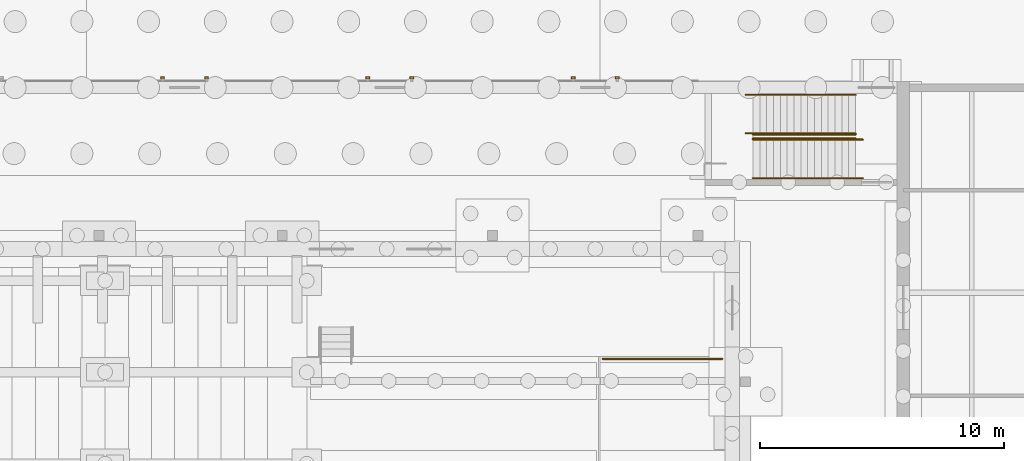
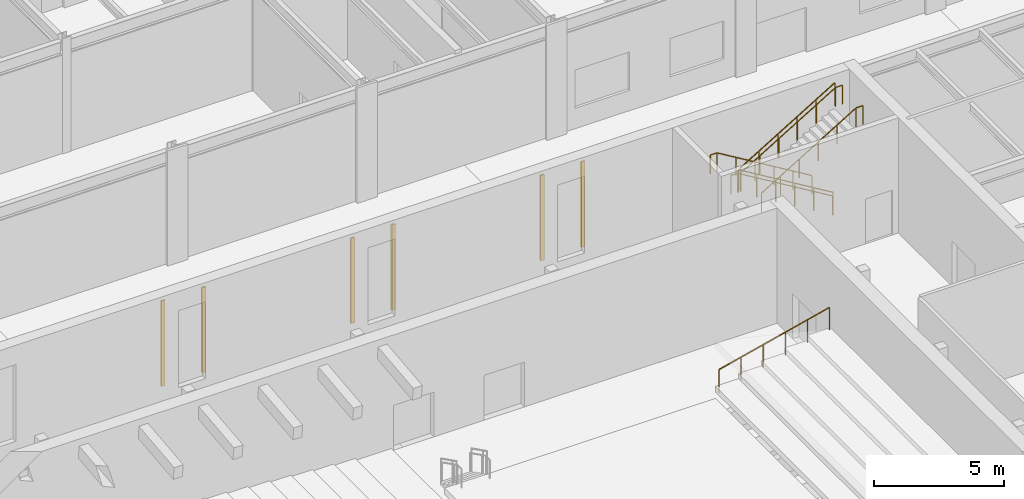
# One storey, part 110 of 127: 7 railings, 6 shading devices.
"""IFC4 building model written with IfcOpenShell, lengths in metres."""

from ifc_helpers import new_model, si_unit, direction, frame, origin, origin_2d, place, context, subcontext, project, spatial, rectangle, circle, extrude, material, type_object, element, save


model = new_model("IFC4")

# Units and contexts
model_context = context("Model", 3, precision=1e-05, world=origin(), true_north=direction((0.0, 1.0)))
body_context = subcontext(model_context, "Body", "Model", "MODEL_VIEW")
ifc_project = project(units=[si_unit("LENGTHUNIT", "METRE"), si_unit("AREAUNIT", "SQUARE_METRE"), si_unit("VOLUMEUNIT", "CUBIC_METRE"), si_unit("PLANEANGLEUNIT", "RADIAN"), si_unit("MASSUNIT", "GRAM", prefix="KILO")], contexts=[model_context])

# Site, building, storey
site_placement = place(None, origin())
site = spatial("IfcSite", under=ifc_project, at=site_placement, CompositionType="ELEMENT")
building_placement = place(site_placement, origin())
building = spatial("IfcBuilding", under=site, at=building_placement, Name="Ljudholm Concert House", CompositionType="ELEMENT")
storey_placement = place(building_placement, origin())
storey = spatial("IfcBuildingStorey", under=building, at=storey_placement, Name="L00", CompositionType="ELEMENT", Elevation=0.0)

# Shading devices
ifc_material_1 = material(Name="Aluminium extrusion with timber-grain PVDF finish", Category="aluminium")
shading_device_type = type_object("IfcShadingDeviceType", Name="FACADE FIN 80x160", PredefinedType="SHUTTER", material=ifc_material_1)
for number, where, z_axis, x_axis, name in (
    (1, (66.10009765625, 96.81005859375, 0.699951171875), (0.0, 0.0, 1.0), (0.0, 1.0, 0.0), "Facade fin"),
    (2, (67.89990234375, 96.81005859375, 0.699951171875), (0.0, 0.0, 1.0), (0.0, 1.0, 0.0), "Facade fin"),
    (3, (74.5, 96.81005859375, 0.699951171875), (0.0, 0.0, 1.0), (0.0, 1.0, 0.0), "Facade fin"),
    (4, (76.300048828125, 96.81005859375, 0.699951171875), (0.0, 0.0, 1.0), (0.0, 1.0, 0.0), "Facade fin"),
    (5, (82.89990234375, 96.81005859375, 0.699951171875), (0.0, 0.0, 1.0), (0.0, 1.0, 0.0), "Facade fin"),
    (6, (84.699951171875, 96.81005859375, 0.699951171875), (0.0, 0.0, 1.0), (0.0, 1.0, 0.0), "Facade fin"),
):
    element("IfcShadingDevice", number, at=place(storey_placement, frame(where, z_axis=z_axis, x_axis=x_axis)), inside=storey, type_object=shading_device_type, Name=name, PredefinedType="SHUTTER", context=body_context, shape_type="SweptSolid", body=[
        extrude(rectangle(XDim=0.080078125, YDim=0.159912109375, at=origin_2d()), origin(), (0.0, 0.0, 1.0), 4.0),
    ])

# Railings
ifc_material_2 = material(Name="Steel ASTM A36", Category="steel")
railing_type_1 = type_object("IfcRailingType", Name="GUARD 1100", PredefinedType="GUARDRAIL", material=ifc_material_2)
railing_1_placement = place(storey_placement, frame((94.449951171875, 94.47509765625, 0.168701171875)))
element("IfcRailing", 7, at=railing_1_placement, inside=storey, type_object=railing_type_1, Name="Guard", PredefinedType="GUARDRAIL", context=body_context, shape_type="SweptSolid", body=[
    extrude(circle(Radius=0.02490234375, at=origin_2d()), frame((0.0, 0.0, 1.0751953125), z_axis=(-0.856392657067, 0.0, 0.516325107778), x_axis=(0.0, -1.0, 0.0)), (0.0, 0.0, 1.0), 0.980712890625),
    extrude(circle(Radius=0.02490234375, at=origin_2d()), frame((-0.83984375, 0.0, 1.58154296875), z_axis=(-0.856569041035, 0.0, 0.516032438845), x_axis=(0.0, -1.0, 0.0)), (0.0, 0.0, 1.0), 0.980712890625),
    extrude(circle(Radius=0.02490234375, at=origin_2d()), frame((-1.679931640625, 0.0, 2.08740234375), z_axis=(-0.856459004192, 0.0, 0.516215046409), x_axis=(0.0, -1.0, 0.0)), (0.0, 0.0, 1.0), 0.98095703125),
    extrude(circle(Radius=0.02490234375, at=origin_2d()), frame((-2.52001953125, 0.0, 2.59375), z_axis=(-0.856392657067, 0.0, 0.516325107778), x_axis=(0.0, -1.0, 0.0)), (0.0, 0.0, 1.0), 0.980712890625),
    extrude(circle(Radius=0.02490234375, at=origin_2d()), frame((-3.35986328125, 0.0, 3.10009765625), z_axis=(-0.856569041035, 0.0, 0.516032438845), x_axis=(0.0, -1.0, 0.0)), (0.0, 0.0, 1.0), 0.980712890625),
    extrude(circle(Radius=0.02099609375, at=origin_2d()), origin(), (0.0, 0.0, 1.0), 1.050048828125),
    extrude(circle(Radius=0.02099609375, at=origin_2d()), frame((-0.83984375, 0.0, 0.50634765625)), (0.0, 0.0, 1.0), 1.050048828125),
    extrude(circle(Radius=0.02099609375, at=origin_2d()), frame((-1.679931640625, 0.0, 1.012451171875)), (0.0, 0.0, 1.0), 1.050048828125),
    extrude(circle(Radius=0.02099609375, at=origin_2d()), frame((-2.52001953125, 0.0, 1.518798828125)), (0.0, 0.0, 1.0), 1.050048828125),
    extrude(circle(Radius=0.02099609375, at=origin_2d()), frame((-3.35986328125, 0.0, 2.025146484375)), (0.0, 0.0, 1.0), 1.050048828125),
    extrude(circle(Radius=0.02099609375, at=origin_2d()), frame((-4.199951171875, 0.0, 2.53125)), (0.0, 0.0, 1.0), 1.050048828125),
])
railing_2_placement = place(storey_placement, frame((90.25, 94.324951171875, 2.86865234375)))
element("IfcRailing", 8, at=railing_2_placement, inside=storey, type_object=railing_type_1, Name="Guard", PredefinedType="GUARDRAIL", context=body_context, shape_type="SweptSolid", body=[
    extrude(circle(Radius=0.02490234375, at=origin_2d()), frame((0.0, 0.0, 1.0751953125), z_axis=(0.856459004192, 0.0, 0.516215046409), x_axis=(0.0, 1.0, 0.0)), (0.0, 0.0, 1.0), 0.98095703125),
    extrude(circle(Radius=0.02490234375, at=origin_2d()), frame((0.840087890625, 0.0, 1.58154296875), z_axis=(0.856392657067, 0.0, 0.516325107778), x_axis=(0.0, 1.0, 0.0)), (0.0, 0.0, 1.0), 0.980712890625),
    extrude(circle(Radius=0.02490234375, at=origin_2d()), frame((1.679931640625, 0.0, 2.087890625), z_axis=(0.856569041035, 0.0, 0.516032438845), x_axis=(0.0, 1.0, 0.0)), (0.0, 0.0, 1.0), 0.980712890625),
    extrude(circle(Radius=0.02490234375, at=origin_2d()), frame((2.52001953125, 0.0, 2.59375), z_axis=(0.856459004192, 0.0, 0.516215046409), x_axis=(0.0, 1.0, 0.0)), (0.0, 0.0, 1.0), 0.98095703125),
    extrude(circle(Radius=0.02490234375, at=origin_2d()), frame((3.360107421875, 0.0, 3.10009765625), z_axis=(0.856502732318, 0.0, 0.516142489563), x_axis=(0.0, 1.0, 0.0)), (0.0, 0.0, 1.0), 0.98046875),
    extrude(circle(Radius=0.02099609375, at=origin_2d()), origin(), (0.0, 0.0, 1.0), 1.050048828125),
    extrude(circle(Radius=0.02099609375, at=origin_2d()), frame((0.840087890625, 0.0, 0.50634765625)), (0.0, 0.0, 1.0), 1.050048828125),
    extrude(circle(Radius=0.02099609375, at=origin_2d()), frame((1.679931640625, 0.0, 1.0126953125)), (0.0, 0.0, 1.0), 1.050048828125),
    extrude(circle(Radius=0.02099609375, at=origin_2d()), frame((2.52001953125, 0.0, 1.518798828125)), (0.0, 0.0, 1.0), 1.050048828125),
    extrude(circle(Radius=0.02099609375, at=origin_2d()), frame((3.360107421875, 0.0, 2.025146484375)), (0.0, 0.0, 1.0), 1.050048828125),
    extrude(circle(Radius=0.02099609375, at=origin_2d()), frame((4.199951171875, 0.0, 2.53125)), (0.0, 0.0, 1.0), 1.050048828125),
])
railing_3_placement = place(storey_placement, frame((84.10009765625, 85.300048828125, 1.050048828125)))
element("IfcRailing", 9, at=railing_3_placement, inside=storey, type_object=railing_type_1, Name="Choir seating guard", PredefinedType="GUARDRAIL", context=body_context, shape_type="SweptSolid", body=[
    extrude(circle(Radius=0.02490234375, at=origin_2d()), frame((0.0, 0.0, 1.0751953125), z_axis=(0.971298452577, 0.0, 0.237864070474), x_axis=(0.0, 1.0, 0.0)), (0.0, 0.0, 1.0), 5.044677734375),
    extrude(circle(Radius=0.02099609375, at=origin_2d()), origin(), (0.0, 0.0, 1.0), 1.050048828125),
    extrude(circle(Radius=0.02099609375, at=origin_2d()), frame((0.97998046875, 0.0, 0.239990234375)), (0.0, 0.0, 1.0), 1.050048828125),
    extrude(circle(Radius=0.02099609375, at=origin_2d()), frame((1.9599609375, 0.0, 0.47998046875)), (0.0, 0.0, 1.0), 1.050048828125),
    extrude(circle(Radius=0.02099609375, at=origin_2d()), frame((2.93994140625, 0.0, 0.719970703125)), (0.0, 0.0, 1.0), 1.050048828125),
    extrude(circle(Radius=0.02099609375, at=origin_2d()), frame((3.919921875, 0.0, 0.9599609375)), (0.0, 0.0, 1.0), 1.050048828125),
    extrude(circle(Radius=0.02099609375, at=origin_2d()), frame((4.89990234375, 0.0, 1.199951171875)), (0.0, 0.0, 1.0), 1.050048828125),
])
ifc_material_3 = material(Name="Steel ASTM A36", Category="steel")
railing_type_2 = type_object("IfcRailingType", Name="HANDRAIL 900", PredefinedType="HANDRAIL", material=ifc_material_3)
railing_4_placement = place(storey_placement, frame((94.449951171875, 94.52490234375, 0.168701171875)))
element("IfcRailing", 10, at=railing_4_placement, inside=storey, type_object=railing_type_2, Name="Handrail", PredefinedType="HANDRAIL", context=body_context, shape_type="SweptSolid", body=[
    extrude(circle(Radius=0.0224609375, at=origin_2d()), frame((0.0, 0.0, 0.87744140625), z_axis=(-0.856392657067, 0.0, 0.516325107778), x_axis=(0.0, -1.0, 0.0)), (0.0, 0.0, 1.0), 0.980712890625),
    extrude(circle(Radius=0.0224609375, at=origin_2d()), frame((-0.83984375, 0.0, 1.3837890625), z_axis=(-0.856569041035, 0.0, 0.516032438845), x_axis=(0.0, -1.0, 0.0)), (0.0, 0.0, 1.0), 0.980712890625),
    extrude(circle(Radius=0.0224609375, at=origin_2d()), frame((-1.679931640625, 0.0, 1.889892578125), z_axis=(-0.856459004192, 0.0, 0.516215046409), x_axis=(0.0, -1.0, 0.0)), (0.0, 0.0, 1.0), 0.98095703125),
    extrude(circle(Radius=0.0224609375, at=origin_2d()), frame((-2.52001953125, 0.0, 2.396240234375), z_axis=(-0.856392657067, 0.0, 0.516325107778), x_axis=(0.0, -1.0, 0.0)), (0.0, 0.0, 1.0), 0.980712890625),
    extrude(circle(Radius=0.0224609375, at=origin_2d()), frame((-3.35986328125, 0.0, 2.902587890625), z_axis=(-0.856569041035, 0.0, 0.516032438845), x_axis=(0.0, -1.0, 0.0)), (0.0, 0.0, 1.0), 0.980712890625),
    extrude(circle(Radius=0.0224609375, at=origin_2d()), frame((-4.199951171875, 0.0, 3.40869140625), z_axis=(-1.0, 0.0, 0.0), x_axis=(0.0, -1.0, 0.0)), (0.0, 0.0, 1.0), 0.300048828125),
    extrude(circle(Radius=0.02099609375, at=origin_2d()), origin(), (0.0, 0.0, 1.0), 0.85498046875),
    extrude(circle(Radius=0.02099609375, at=origin_2d()), frame((-0.83984375, 0.0, 0.50634765625)), (0.0, 0.0, 1.0), 0.85498046875),
    extrude(circle(Radius=0.02099609375, at=origin_2d()), frame((-1.679931640625, 0.0, 1.012451171875)), (0.0, 0.0, 1.0), 0.85498046875),
    extrude(circle(Radius=0.02099609375, at=origin_2d()), frame((-2.52001953125, 0.0, 1.518798828125)), (0.0, 0.0, 1.0), 0.85498046875),
    extrude(circle(Radius=0.02099609375, at=origin_2d()), frame((-3.35986328125, 0.0, 2.025146484375)), (0.0, 0.0, 1.0), 0.85498046875),
    extrude(circle(Radius=0.02099609375, at=origin_2d()), frame((-4.199951171875, 0.0, 2.53125)), (0.0, 0.0, 1.0), 0.85498046875),
    extrude(circle(Radius=0.02099609375, at=origin_2d()), frame((-4.5, 0.0, 2.53125)), (0.0, 0.0, 1.0), 0.85498046875),
])
railing_5_placement = place(storey_placement, frame((94.449951171875, 96.10009765625, 0.168701171875)))
element("IfcRailing", 11, at=railing_5_placement, inside=storey, type_object=railing_type_2, Name="Handrail", PredefinedType="HANDRAIL", context=body_context, shape_type="SweptSolid", body=[
    extrude(circle(Radius=0.0224609375, at=origin_2d()), frame((0.0, 0.0, 0.87744140625), z_axis=(-0.856392657067, 0.0, 0.516325107778), x_axis=(0.0, -1.0, 0.0)), (0.0, 0.0, 1.0), 0.980712890625),
    extrude(circle(Radius=0.0224609375, at=origin_2d()), frame((-0.83984375, 0.0, 1.3837890625), z_axis=(-0.856569041035, 0.0, 0.516032438845), x_axis=(0.0, -1.0, 0.0)), (0.0, 0.0, 1.0), 0.980712890625),
    extrude(circle(Radius=0.0224609375, at=origin_2d()), frame((-1.679931640625, 0.0, 1.889892578125), z_axis=(-0.856459004192, 0.0, 0.516215046409), x_axis=(0.0, -1.0, 0.0)), (0.0, 0.0, 1.0), 0.98095703125),
    extrude(circle(Radius=0.0224609375, at=origin_2d()), frame((-2.52001953125, 0.0, 2.396240234375), z_axis=(-0.856392657067, 0.0, 0.516325107778), x_axis=(0.0, -1.0, 0.0)), (0.0, 0.0, 1.0), 0.980712890625),
    extrude(circle(Radius=0.0224609375, at=origin_2d()), frame((-3.35986328125, 0.0, 2.902587890625), z_axis=(-0.856569041035, 0.0, 0.516032438845), x_axis=(0.0, -1.0, 0.0)), (0.0, 0.0, 1.0), 0.980712890625),
    extrude(circle(Radius=0.0224609375, at=origin_2d()), frame((-4.199951171875, 0.0, 3.40869140625), z_axis=(-1.0, 0.0, 0.0), x_axis=(0.0, -1.0, 0.0)), (0.0, 0.0, 1.0), 0.300048828125),
    extrude(circle(Radius=0.02099609375, at=origin_2d()), origin(), (0.0, 0.0, 1.0), 0.85498046875),
    extrude(circle(Radius=0.02099609375, at=origin_2d()), frame((-0.83984375, 0.0, 0.50634765625)), (0.0, 0.0, 1.0), 0.85498046875),
    extrude(circle(Radius=0.02099609375, at=origin_2d()), frame((-1.679931640625, 0.0, 1.012451171875)), (0.0, 0.0, 1.0), 0.85498046875),
    extrude(circle(Radius=0.02099609375, at=origin_2d()), frame((-2.52001953125, 0.0, 1.518798828125)), (0.0, 0.0, 1.0), 0.85498046875),
    extrude(circle(Radius=0.02099609375, at=origin_2d()), frame((-3.35986328125, 0.0, 2.025146484375)), (0.0, 0.0, 1.0), 0.85498046875),
    extrude(circle(Radius=0.02099609375, at=origin_2d()), frame((-4.199951171875, 0.0, 2.53125)), (0.0, 0.0, 1.0), 0.85498046875),
    extrude(circle(Radius=0.02099609375, at=origin_2d()), frame((-4.5, 0.0, 2.53125)), (0.0, 0.0, 1.0), 0.85498046875),
])
railing_6_placement = place(storey_placement, frame((90.25, 94.27490234375, 2.86865234375)))
element("IfcRailing", 12, at=railing_6_placement, inside=storey, type_object=railing_type_2, Name="Handrail", PredefinedType="HANDRAIL", context=body_context, shape_type="SweptSolid", body=[
    extrude(circle(Radius=0.0224609375, at=origin_2d()), frame((0.0, 0.0, 0.87744140625), z_axis=(0.856459004192, 0.0, 0.516215046409), x_axis=(0.0, 1.0, 0.0)), (0.0, 0.0, 1.0), 0.98095703125),
    extrude(circle(Radius=0.0224609375, at=origin_2d()), frame((0.840087890625, 0.0, 1.3837890625), z_axis=(0.856392657067, 0.0, 0.516325107778), x_axis=(0.0, 1.0, 0.0)), (0.0, 0.0, 1.0), 0.980712890625),
    extrude(circle(Radius=0.0224609375, at=origin_2d()), frame((1.679931640625, 0.0, 1.89013671875), z_axis=(0.856569041035, 0.0, 0.516032438845), x_axis=(0.0, 1.0, 0.0)), (0.0, 0.0, 1.0), 0.980712890625),
    extrude(circle(Radius=0.0224609375, at=origin_2d()), frame((2.52001953125, 0.0, 2.396240234375), z_axis=(0.856459004192, 0.0, 0.516215046409), x_axis=(0.0, 1.0, 0.0)), (0.0, 0.0, 1.0), 0.98095703125),
    extrude(circle(Radius=0.0224609375, at=origin_2d()), frame((3.360107421875, 0.0, 2.902587890625), z_axis=(0.856502732318, 0.0, 0.516142489563), x_axis=(0.0, 1.0, 0.0)), (0.0, 0.0, 1.0), 0.98046875),
    extrude(circle(Radius=0.0224609375, at=origin_2d()), frame((4.199951171875, 0.0, 3.40869140625), z_axis=(1.0, 0.0, 0.0), x_axis=(0.0, 1.0, 0.0)), (0.0, 0.0, 1.0), 0.300048828125),
    extrude(circle(Radius=0.02099609375, at=origin_2d()), origin(), (0.0, 0.0, 1.0), 0.85498046875),
    extrude(circle(Radius=0.02099609375, at=origin_2d()), frame((0.840087890625, 0.0, 0.50634765625)), (0.0, 0.0, 1.0), 0.85498046875),
    extrude(circle(Radius=0.02099609375, at=origin_2d()), frame((1.679931640625, 0.0, 1.0126953125)), (0.0, 0.0, 1.0), 0.85498046875),
    extrude(circle(Radius=0.02099609375, at=origin_2d()), frame((2.52001953125, 0.0, 1.518798828125)), (0.0, 0.0, 1.0), 0.85498046875),
    extrude(circle(Radius=0.02099609375, at=origin_2d()), frame((3.360107421875, 0.0, 2.025146484375)), (0.0, 0.0, 1.0), 0.85498046875),
    extrude(circle(Radius=0.02099609375, at=origin_2d()), frame((4.199951171875, 0.0, 2.53125)), (0.0, 0.0, 1.0), 0.85498046875),
    extrude(circle(Radius=0.02099609375, at=origin_2d()), frame((4.5, 0.0, 2.53125)), (0.0, 0.0, 1.0), 0.85498046875),
])
railing_7_placement = place(storey_placement, frame((90.25, 92.699951171875, 2.86865234375)))
element("IfcRailing", 13, at=railing_7_placement, inside=storey, type_object=railing_type_2, Name="Handrail", PredefinedType="HANDRAIL", context=body_context, shape_type="SweptSolid", body=[
    extrude(circle(Radius=0.0224609375, at=origin_2d()), frame((0.0, 0.0, 0.87744140625), z_axis=(0.856459004192, 0.0, 0.516215046409), x_axis=(0.0, 1.0, 0.0)), (0.0, 0.0, 1.0), 0.98095703125),
    extrude(circle(Radius=0.0224609375, at=origin_2d()), frame((0.840087890625, 0.0, 1.3837890625), z_axis=(0.856392657067, 0.0, 0.516325107778), x_axis=(0.0, 1.0, 0.0)), (0.0, 0.0, 1.0), 0.980712890625),
    extrude(circle(Radius=0.0224609375, at=origin_2d()), frame((1.679931640625, 0.0, 1.89013671875), z_axis=(0.856569041035, 0.0, 0.516032438845), x_axis=(0.0, 1.0, 0.0)), (0.0, 0.0, 1.0), 0.980712890625),
    extrude(circle(Radius=0.0224609375, at=origin_2d()), frame((2.52001953125, 0.0, 2.396240234375), z_axis=(0.856459004192, 0.0, 0.516215046409), x_axis=(0.0, 1.0, 0.0)), (0.0, 0.0, 1.0), 0.98095703125),
    extrude(circle(Radius=0.0224609375, at=origin_2d()), frame((3.360107421875, 0.0, 2.902587890625), z_axis=(0.856502732318, 0.0, 0.516142489563), x_axis=(0.0, 1.0, 0.0)), (0.0, 0.0, 1.0), 0.98046875),
    extrude(circle(Radius=0.0224609375, at=origin_2d()), frame((4.199951171875, 0.0, 3.40869140625), z_axis=(1.0, 0.0, 0.0), x_axis=(0.0, 1.0, 0.0)), (0.0, 0.0, 1.0), 0.300048828125),
    extrude(circle(Radius=0.02099609375, at=origin_2d()), origin(), (0.0, 0.0, 1.0), 0.85498046875),
    extrude(circle(Radius=0.02099609375, at=origin_2d()), frame((0.840087890625, 0.0, 0.50634765625)), (0.0, 0.0, 1.0), 0.85498046875),
    extrude(circle(Radius=0.02099609375, at=origin_2d()), frame((1.679931640625, 0.0, 1.0126953125)), (0.0, 0.0, 1.0), 0.85498046875),
    extrude(circle(Radius=0.02099609375, at=origin_2d()), frame((2.52001953125, 0.0, 1.518798828125)), (0.0, 0.0, 1.0), 0.85498046875),
    extrude(circle(Radius=0.02099609375, at=origin_2d()), frame((3.360107421875, 0.0, 2.025146484375)), (0.0, 0.0, 1.0), 0.85498046875),
    extrude(circle(Radius=0.02099609375, at=origin_2d()), frame((4.199951171875, 0.0, 2.53125)), (0.0, 0.0, 1.0), 0.85498046875),
    extrude(circle(Radius=0.02099609375, at=origin_2d()), frame((4.5, 0.0, 2.53125)), (0.0, 0.0, 1.0), 0.85498046875),
])

save(model, "model.ifc")
